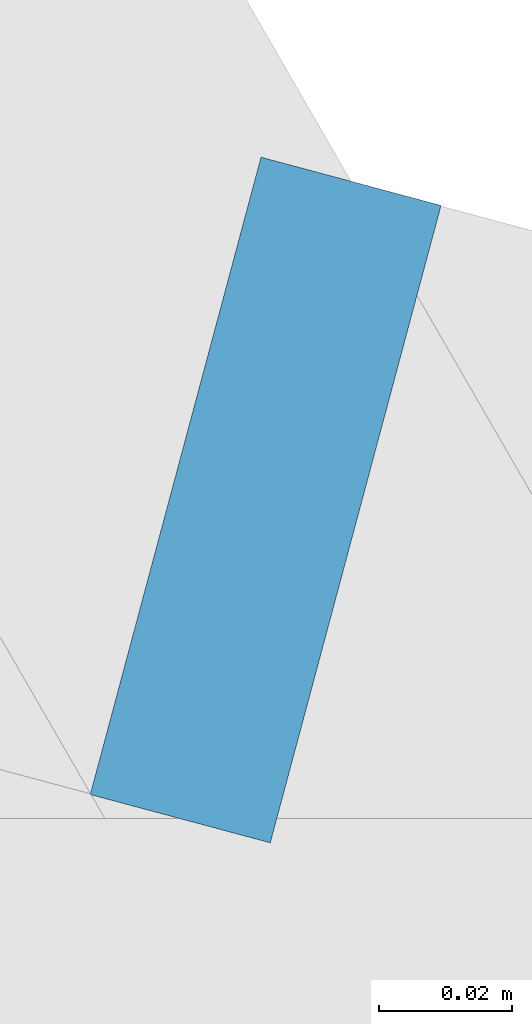
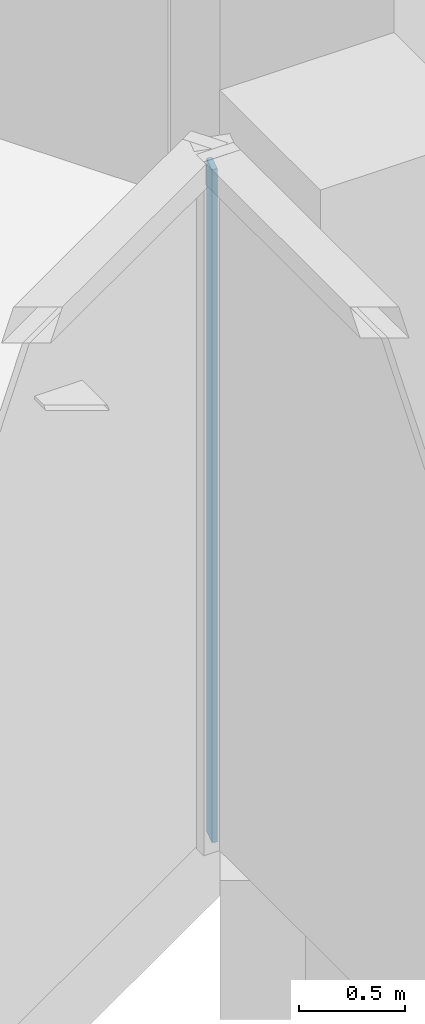
# One storey, part 10 of 21: 1 plate, 1 element without a shape of its own.
"""IFC4 building model written with IfcOpenShell, lengths in metres."""

import ifcopenshell
import ifcopenshell.guid

model = None  # the IFC model being written
_history = None  # IfcOwnerHistory: only IFC2X3 demands one
_inside = {}  # id of a spatial element -> (the spatial element, [elements in it])
_under = {}  # id of a project, library or spatial element -> (it, [spatial elements below it])
_declared = {}  # id of a project -> (the project, [libraries it declares])
_typed = {}  # id of a type object -> (the type object, [elements of that type])
_made_of = {}  # id of a material, layer set ... -> (it, [elements and type objects made of it])


def new_model(schema):
    """Start an empty IFC model of exactly this schema.

    Asked for "IFC4X3", IfcOpenShell would pick the latest addendum, in which some entities
    have other attributes; the version numbers below select the first issue.
    IFC2X3 requires an IfcOwnerHistory on every rooted entity: one is made here for all.
    """
    global model, _history
    if schema == "IFC4X3":
        model = ifcopenshell.file(schema_version=(4, 3, 0, 0))
    else:
        model = ifcopenshell.file(schema=schema)
    _inside.clear()
    _under.clear()
    _declared.clear()
    _typed.clear()
    _made_of.clear()
    _history = None
    if model.schema == "IFC2X3":
        org = make("IfcOrganization", Name="unknown")
        user = make(
            "IfcPersonAndOrganization",
            ThePerson=make("IfcPerson", FamilyName="unknown"),
            TheOrganization=org,
        )
        app = make(
            "IfcApplication",
            ApplicationDeveloper=org,
            Version="unknown",
            ApplicationFullName="unknown",
            ApplicationIdentifier="unknown",
        )
        _history = make(
            "IfcOwnerHistory",
            OwningUser=user,
            OwningApplication=app,
            ChangeAction="ADDED",
            CreationDate=0,
        )
    return model


def make(cls, **values):
    """One entity of the class cls with the attributes given. An attribute that is None is left unset."""
    return model.create_entity(
        cls, **{name: value for name, value in values.items() if value is not None}
    )


def rooted(cls, **values):
    """An entity with a GlobalId (a new one), such as an element, a storey or a relation."""
    return make(cls, GlobalId=ifcopenshell.guid.new(), OwnerHistory=_history, **values)


def si_unit(unit_type, name, prefix=None):
    """IfcSIUnit, for example si_unit("LENGTHUNIT", "METRE", prefix="MILLI")."""
    return make("IfcSIUnit", UnitType=unit_type, Prefix=prefix, Name=name)


def assignment(units):
    """IfcUnitAssignment: the units of a project."""
    return None if units is None else make("IfcUnitAssignment", Units=units)


def point(xyz):
    """IfcCartesianPoint."""
    return None if xyz is None else make("IfcCartesianPoint", Coordinates=xyz)


def direction(xyz):
    """IfcDirection."""
    return None if xyz is None else make("IfcDirection", DirectionRatios=xyz)


def frame(location, z_axis=None, x_axis=None):
    """IfcAxis2Placement3D, a coordinate frame: its origin and axes. An axis left out is left unset."""
    return make(
        "IfcAxis2Placement3D",
        Location=point(location),
        Axis=direction(z_axis),
        RefDirection=direction(x_axis),
    )


def frame_2d(location, x_axis=None):
    """IfcAxis2Placement2D, a coordinate frame in the plane: its origin and x axis."""
    return make(
        "IfcAxis2Placement2D", Location=point(location), RefDirection=direction(x_axis)
    )


def origin():
    """The frame at (0, 0, 0) with its axes left unset."""
    return frame((0.0, 0.0, 0.0))


def origin_2d():
    """The frame at (0, 0) in the plane with its x axis left unset."""
    return frame_2d((0.0, 0.0))


def place(relative_to, where):
    """IfcLocalPlacement: puts the frame where relative to a parent placement (None: the world)."""
    return make(
        "IfcLocalPlacement", PlacementRelTo=relative_to, RelativePlacement=where
    )


def context(
    kind, dimensions, precision=None, world=None, true_north=None, identifier=None
):
    """IfcGeometricRepresentationContext, for example the 3D "Model" context."""
    return make(
        "IfcGeometricRepresentationContext",
        ContextIdentifier=identifier,
        ContextType=kind,
        CoordinateSpaceDimension=dimensions,
        Precision=precision,
        WorldCoordinateSystem=world,
        TrueNorth=true_north,
    )


def subcontext(parent, identifier, kind, view, scale=None):
    """IfcGeometricRepresentationSubContext, for example "Body" below "Model"."""
    return make(
        "IfcGeometricRepresentationSubContext",
        ContextIdentifier=identifier,
        ContextType=kind,
        ParentContext=parent,
        TargetScale=scale,
        TargetView=view,
    )


def project(units=None, contexts=None):
    """IfcProject with its units and contexts."""
    return rooted(
        "IfcProject",
        Name="project",
        RepresentationContexts=contexts,
        UnitsInContext=assignment(units),
    )


def spatial(cls, under=None, at=None, **own):
    """A site, building, storey or space (cls), placed at a placement, below another one or the project."""
    s = rooted(cls, ObjectPlacement=at, **own)
    if under is not None:
        _under.setdefault(under.id(), (under, []))[1].append(s)
    return s


def profile(cls, at=None, kind="AREA", **sizes):
    """A parametric profile (cls). Its sizes go by their IFC names, for example OverallWidth=200.0."""
    return make(cls, ProfileType=kind, Position=at, **sizes)


def rectangle(**sizes):
    """IfcRectangleProfileDef."""
    return profile("IfcRectangleProfileDef", **sizes)


def extrude(swept, where, along, depth):
    """IfcExtrudedAreaSolid: the profile swept, set in the frame where, extruded along a direction by depth."""
    return make(
        "IfcExtrudedAreaSolid",
        SweptArea=swept,
        Position=where,
        ExtrudedDirection=direction(along),
        Depth=depth,
    )


def shape(context_of_items, identifier, shape_type, items):
    """IfcShapeRepresentation: the items that make up one representation, for example the "Body"."""
    return make(
        "IfcShapeRepresentation",
        ContextOfItems=context_of_items,
        RepresentationIdentifier=identifier,
        RepresentationType=shape_type,
        Items=items,
    )


def material(Name=None, Category=None):
    """IfcMaterial."""
    return make("IfcMaterial", Name=Name, Category=Category)


def layer(
    of_material, thickness, ventilated=None, Name=None, Category=None, Priority=None
):
    """IfcMaterialLayer: one layer of a wall or slab, of a material (None: an air gap)."""
    return make(
        "IfcMaterialLayer",
        Material=of_material,
        LayerThickness=thickness,
        IsVentilated=ventilated,
        Name=Name,
        Category=Category,
        Priority=Priority,
    )


def layer_set(layers, Name=None):
    """IfcMaterialLayerSet."""
    return make("IfcMaterialLayerSet", MaterialLayers=layers, LayerSetName=Name)


def made_of(thing, what):
    """Note that an element or type object is made of a material, layer set ...; save() writes the relation."""
    if what is not None:
        _made_of.setdefault(what.id(), (what, []))[1].append(thing)
    return thing


def type_object(cls, material=None, **own):
    """A type object (cls), such as IfcWallType, which elements share."""
    return made_of(rooted(cls, **own), material)


def element(
    cls,
    number,
    at=None,
    inside=None,
    cuts=None,
    type_object=None,
    material=None,
    context=None,
    identifier="Body",
    shape_type=None,
    held_by="IfcProductDefinitionShape",
    body=None,
    shapes=None,
    **own,
):
    """One element of the class cls, such as IfcWall. Its Tag is "e" and its number.

    at: its placement. inside: the storey or other place that contains it. cuts: it is an
    opening in that element (IfcRelVoidsElement). A single representation is given by context,
    identifier, shape_type and body (its items); several are given by shapes. held_by: the class
    of the entity that holds the representations. save() writes the other relations.
    """
    e = rooted(cls, Tag="e%d" % number, ObjectPlacement=at, **own)
    if body is not None:
        shapes = [shape(context, identifier, shape_type, body)]
    if shapes is not None:
        e.Representation = make(held_by, Representations=shapes)
    if inside is not None:
        _inside.setdefault(inside.id(), (inside, []))[1].append(e)
    if cuts is not None:
        rooted(
            "IfcRelVoidsElement", RelatingBuildingElement=cuts, RelatedOpeningElement=e
        )
    if type_object is not None:
        _typed.setdefault(type_object.id(), (type_object, []))[1].append(e)
    return made_of(e, material)


def aggregate(whole, parts):
    """IfcRelAggregates: a whole, such as a stair, and the parts it consists of."""
    return rooted("IfcRelAggregates", RelatingObject=whole, RelatedObjects=parts)


def save(model, path):
    """Write the relations noted so far, then the file.

    IfcRelAggregates (storeys below a building ...), IfcRelContainedInSpatialStructure (elements
    in a storey), IfcRelDefinesByType, IfcRelAssociatesMaterial and IfcRelDeclares: one each for
    every whole, place, type object, material and project.
    """
    for whole, parts in _under.values():
        aggregate(whole, parts)
    for where, things in _inside.values():
        rooted(
            "IfcRelContainedInSpatialStructure",
            RelatedElements=things,
            RelatingStructure=where,
        )
    for kind, things in _typed.values():
        rooted("IfcRelDefinesByType", RelatedObjects=things, RelatingType=kind)
    for what, things in _made_of.values():
        rooted("IfcRelAssociatesMaterial", RelatedObjects=things, RelatingMaterial=what)
    for by, libraries in _declared.values():
        rooted("IfcRelDeclares", RelatingContext=by, RelatedDefinitions=libraries)
    model.write(path)


model = new_model("IFC4")

# Units and contexts
model_context = context("Model", 3, precision=1e-05, world=origin(), true_north=direction((0.0, 1.0)))
body_context = subcontext(model_context, "Body", "Model", "MODEL_VIEW")
ifc_project = project(units=[si_unit("LENGTHUNIT", "METRE"), si_unit("AREAUNIT", "SQUARE_METRE"), si_unit("VOLUMEUNIT", "CUBIC_METRE"), si_unit("PLANEANGLEUNIT", "RADIAN"), si_unit("MASSUNIT", "GRAM", prefix="KILO")], contexts=[model_context])

# Site, building, storey
site_placement = place(None, origin())
site = spatial("IfcSite", under=ifc_project, at=site_placement, CompositionType="ELEMENT")
building_placement = place(site_placement, origin())
building = spatial("IfcBuilding", under=site, at=building_placement, Name="Ayvan Gate Tower", CompositionType="ELEMENT")
storey_placement = place(building_placement, frame((0.0, 0.0, 190.699951171875)))
storey = spatial("IfcBuildingStorey", under=building, at=storey_placement, Name="L51", CompositionType="ELEMENT", Elevation=190.699951171875)

# Curtain wall, plate
ifc_material_1 = material(Name="Bronze anodised aluminium", Category="aluminium")
ifc_layer_1 = layer(ifc_material_1, 0.199951171875)
ifc_layer_set_1 = layer_set([ifc_layer_1], Name="Bronze anodised aluminium")
curtain_wall_type = type_object("IfcCurtainWallType", Name="Stick curtain wall CW-6", PredefinedType="NOTDEFINED", material=ifc_layer_set_1)
curtain_wall_placement = place(storey_placement, origin())
curtain_wall = element("IfcCurtainWall", 1, at=curtain_wall_placement, inside=storey, type_object=curtain_wall_type, Name="Stick curtain wall CW-6 L51", PredefinedType="NOTDEFINED")
ifc_material_2 = material(Name="Clear low-iron laminated glass", Category="glass")
ifc_layer_2 = layer(ifc_material_2, 0.028076171875)
ifc_layer_set_2 = layer_set([ifc_layer_2], Name="Clear low-iron laminated glass")
plate_type = type_object("IfcPlateType", Name="Stick curtain wall CW-6 glass panel", PredefinedType="CURTAIN_PANEL", material=ifc_layer_set_2)
plate_placement = place(storey_placement, frame((-18.21044921875, 9.291015625, 0.0), z_axis=(0.0, 0.0, 1.0), x_axis=(-0.258819045103, -0.965925826289, 0.0)))
plate = element("IfcPlate", 2, at=plate_placement, type_object=plate_type, Name="CW-6 glass panel 1", PredefinedType="CURTAIN_PANEL", context=body_context, shape_type="SweptSolid", body=[
    extrude(rectangle(XDim=0.099365234375, YDim=0.028076171875, at=origin_2d()), origin(), (0.0, 0.0, 1.0), 3.8798828125),
])
aggregate(curtain_wall, [plate])

save(model, "model.ifc")
